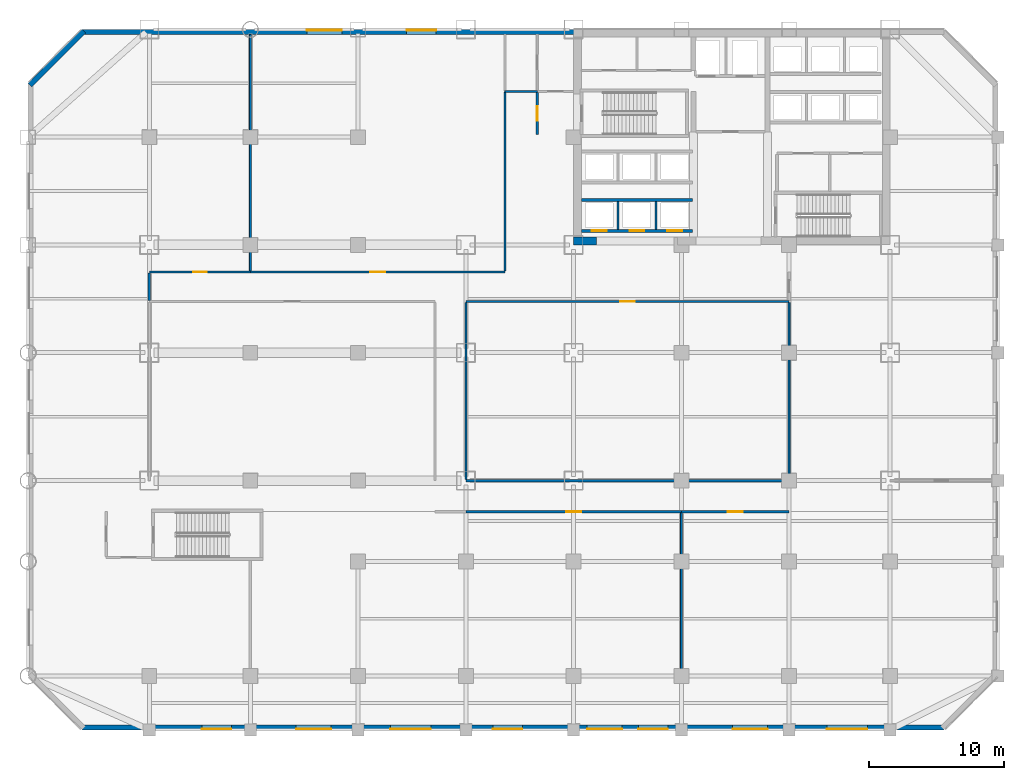
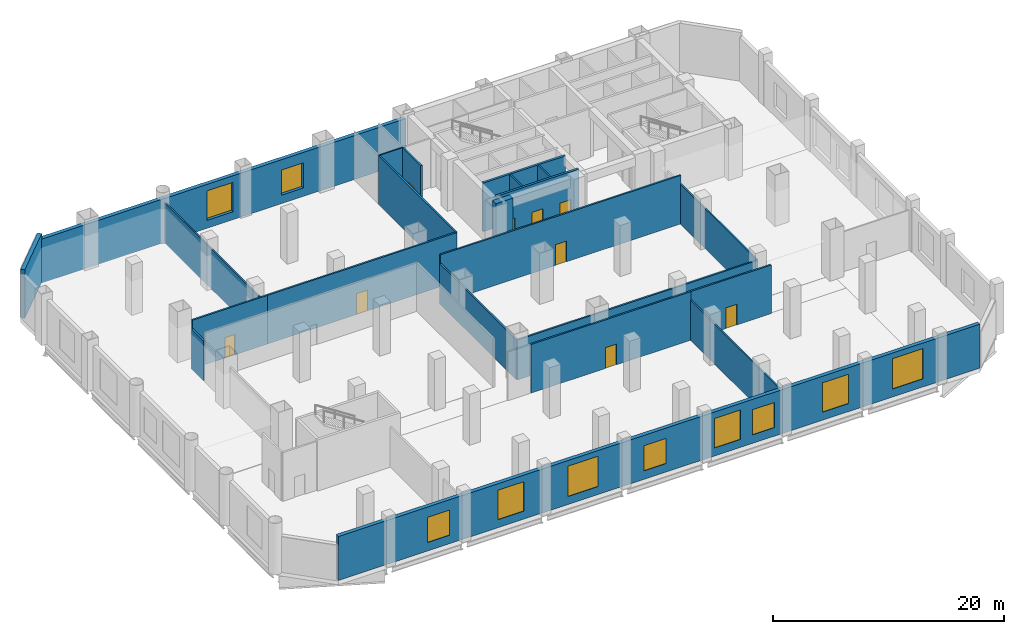
# One storey, part 4 of 10: 22 walls, 10 windows, 9 doors, 19 openings.
"""IFC4 building model written with IfcOpenShell, lengths in metres."""

from ifc_helpers import new_model, si_unit, direction, frame, frame_2d, origin, place, context, subcontext, project, spatial, rectangle, extrude, material, layer, layer_set, type_object, element, fill, save


model = new_model("IFC4")

# Units and contexts
model_context = context("Model", 3, precision=1e-05, world=origin(), true_north=direction((0.0, 1.0)))
body_context = subcontext(model_context, "Body", "Model", "MODEL_VIEW")
ifc_project = project(units=[si_unit("LENGTHUNIT", "METRE"), si_unit("AREAUNIT", "SQUARE_METRE"), si_unit("VOLUMEUNIT", "CUBIC_METRE"), si_unit("PLANEANGLEUNIT", "RADIAN"), si_unit("MASSUNIT", "GRAM", prefix="KILO")], contexts=[model_context])

# Site, building, storey
site_placement = place(None, origin())
site = spatial("IfcSite", under=ifc_project, at=site_placement, CompositionType="ELEMENT")
building_placement = place(site_placement, origin())
building = spatial("IfcBuilding", under=site, at=building_placement, Name="Qianrong Seaharbour Tower", CompositionType="ELEMENT")
storey_placement = place(building_placement, frame((0.0, 0.0, 17.39990234375)))
storey = spatial("IfcBuildingStorey", under=building, at=storey_placement, Name="L04", CompositionType="ELEMENT", Elevation=17.39990234375)

# Wall
ifc_material_1 = material(Name="Concrete C70/85", Category="concrete")
ifc_layer_1 = layer(ifc_material_1, 0.580078125)
ifc_layer_set_1 = layer_set([ifc_layer_1], Name="Concrete C70/85")
wall_type_1 = type_object("IfcWallType", Name="WALL-CORE-580", PredefinedType="SHEAR", material=ifc_layer_set_1)
wall_1_placement = place(storey_placement, frame((40.5, 36.2900390625, 0.0), z_axis=(0.0, 0.0, 1.0), x_axis=(1.0, 0.0, 0.0)))
element("IfcWall", 1, at=wall_1_placement, inside=storey, type_object=wall_type_1, Name="L04 South Core Shear Wall S1", PredefinedType="SHEAR", context=body_context, shape_type="SweptSolid", body=[
    extrude(rectangle(XDim=1.699951171875, YDim=0.580078125, at=frame_2d((0.85009765625, 0.0))), origin(), (0.0, 0.0, 1.0), 5.14013671875),
])

# Wall, opening, door
ifc_material_2 = material(Name="Fire-rated acoustic gypsum board partition")
ifc_layer_2 = layer(ifc_material_2, 0.1650390625)
ifc_layer_set_2 = layer_set([ifc_layer_2], Name="Fire-rated acoustic gypsum board partition")
wall_type_2 = type_object("IfcWallType", Name="WALL-CORR-PART-165", PredefinedType="PARTITIONING", material=ifc_layer_set_2)
wall_2_placement = place(storey_placement, frame((37.800048828125, 44.199951171875, 0.0), z_axis=(0.0, 0.0, 1.0), x_axis=(0.0, 1.0, 0.0)))
wall_2 = element("IfcWall", 2, at=wall_2_placement, inside=storey, type_object=wall_type_2, Name="L04 Interior Partition Wall 002", PredefinedType="PARTITIONING", context=body_context, shape_type="SweptSolid", body=[
    extrude(rectangle(XDim=3.12548828125, YDim=0.1650390625, at=frame_2d((1.562744140625, 0.0))), origin(), (0.0, 0.0, 1.0), 5.14013671875),
])
opening_1_placement = place(wall_2_placement, frame((1.03759765625, 0.0, 0.0)))
opening_1 = element("IfcOpeningElement", 3, at=opening_1_placement, cuts=wall_2, Name="Opening DC-01", PredefinedType="OPENING", context=body_context, shape_type="SweptSolid", body=[
    extrude(rectangle(XDim=1.050048828125, YDim=2.14990234375, at=frame_2d((0.52490234375, 1.074951171875))), frame((0.0, 0.092529296875, 0.0), z_axis=(0.0, -1.0, 0.0), x_axis=(1.0, 0.0, 0.0)), (0.0, 0.0, 1.0), 0.18505859375),
])
ifc_material_3 = material(Name="Acoustic timber and galvanized steel fire door assembly", Category="steel")
door_type_1 = type_object("IfcDoorType", Name="DOOR-CORR-FD60-1050x2150", OperationType="NOTDEFINED", PredefinedType="DOOR", material=ifc_material_3)
door_1_placement = place(opening_1_placement, origin())
door_1 = element("IfcDoor", 4, at=door_1_placement, inside=storey, type_object=door_type_1, Name="L04 Smokeproof Stair Vestibule ST-1 Door", OperationType="SINGLE_SWING_RIGHT", OverallHeight=2.14990234375, OverallWidth=1.050048828125, PredefinedType="DOOR", context=body_context, shape_type="SweptSolid", body=[
    extrude(rectangle(XDim=1.050048828125, YDim=2.14990234375, at=frame_2d((0.52490234375, 1.074951171875))), frame((0.0, 0.02490234375, 0.0), z_axis=(0.0, -1.0, 0.0), x_axis=(1.0, 0.0, 0.0)), (0.0, 0.0, 1.0), 0.050048828125),
])
fill(opening_1, door_1)

wall_3_placement = place(storey_placement, frame((56.5, 31.800048828125, 0.0), z_axis=(0.0, 0.0, 1.0), x_axis=(-1.0, 0.0, 0.0)))
wall_3 = element("IfcWall", 5, at=wall_3_placement, inside=storey, type_object=wall_type_2, Name="L04 Interior Partition Wall 016", PredefinedType="PARTITIONING", context=body_context, shape_type="SweptSolid", body=[
    extrude(rectangle(XDim=24.0, YDim=0.1650390625, at=frame_2d((12.0, 0.0))), origin(), (0.0, 0.0, 1.0), 5.14013671875),
])
opening_2_placement = place(wall_3_placement, frame((11.449951171875, 0.0, 0.0)))
opening_2 = element("IfcOpeningElement", 6, at=opening_2_placement, cuts=wall_3, Name="Opening DM-01", PredefinedType="OPENING", context=body_context, shape_type="SweptSolid", body=[
    extrude(rectangle(XDim=1.10009765625, YDim=2.199951171875, at=frame_2d((0.550048828125, 1.10009765625))), frame((0.0, 0.092529296875, 0.0), z_axis=(0.0, -1.0, 0.0), x_axis=(1.0, 0.0, 0.0)), (0.0, 0.0, 1.0), 0.18505859375),
])
door_type_2 = type_object("IfcDoorType", Name="DOOR-MEET-1100x2200", OperationType="NOTDEFINED", PredefinedType="DOOR", material=ifc_material_3)
door_2_placement = place(opening_2_placement, origin())
door_2 = element("IfcDoor", 7, at=door_2_placement, inside=storey, type_object=door_type_2, Name="L04 Training Classroom Door", OperationType="SINGLE_SWING_LEFT", OverallHeight=2.199951171875, OverallWidth=1.10009765625, PredefinedType="DOOR", context=body_context, shape_type="SweptSolid", body=[
    extrude(rectangle(XDim=1.10009765625, YDim=2.199951171875, at=frame_2d((0.550048828125, 1.10009765625))), frame((0.0, 0.02490234375, 0.0), z_axis=(0.0, -1.0, 0.0), x_axis=(1.0, 0.0, 0.0)), (0.0, 0.0, 1.0), 0.050048828125),
])
fill(opening_2, door_2)

wall_4_placement = place(storey_placement, frame((16.5, 34.0, 0.0), z_axis=(0.0, 0.0, 1.0), x_axis=(1.0, 0.0, 0.0)))
wall_4 = element("IfcWall", 8, at=wall_4_placement, inside=storey, type_object=wall_type_2, Name="L04 Interior Partition Wall 018", PredefinedType="PARTITIONING", context=body_context, shape_type="SweptSolid", body=[
    extrude(rectangle(XDim=18.89990234375, YDim=0.1650390625, at=frame_2d((9.449951171875, 0.0))), origin(), (0.0, 0.0, 1.0), 5.14013671875),
])
opening_3_placement = place(wall_4_placement, frame((8.89990234375, 0.0, 0.0)))
opening_3 = element("IfcOpeningElement", 9, at=opening_3_placement, cuts=wall_4, Name="Opening DM-01", PredefinedType="OPENING", context=body_context, shape_type="SweptSolid", body=[
    extrude(rectangle(XDim=1.10009765625, YDim=2.199951171875, at=frame_2d((0.550048828125, 1.10009765625))), frame((0.0, 0.092529296875, 0.0), z_axis=(0.0, -1.0, 0.0), x_axis=(1.0, 0.0, 0.0)), (0.0, 0.0, 1.0), 0.18505859375),
])
door_3_placement = place(opening_3_placement, origin())
door_3 = element("IfcDoor", 10, at=door_3_placement, inside=storey, type_object=door_type_2, Name="L04 Navigation Simulation Laboratory Door", OperationType="SINGLE_SWING_LEFT", OverallHeight=2.199951171875, OverallWidth=1.10009765625, PredefinedType="DOOR", context=body_context, shape_type="SweptSolid", body=[
    extrude(rectangle(XDim=1.10009765625, YDim=2.199951171875, at=frame_2d((0.550048828125, 1.10009765625))), frame((0.0, 0.02490234375, 0.0), z_axis=(0.0, -1.0, 0.0), x_axis=(1.0, 0.0, 0.0)), (0.0, 0.0, 1.0), 0.050048828125),
])
fill(opening_3, door_3)

# Wall
wall_5_placement = place(storey_placement, frame((9.0, 31.87451171875, 0.0), z_axis=(0.0, 0.0, 1.0), x_axis=(0.0, 1.0, 0.0)))
element("IfcWall", 11, at=wall_5_placement, inside=storey, type_object=wall_type_2, Name="L04 Interior Partition Wall 020", PredefinedType="PARTITIONING", context=body_context, shape_type="SweptSolid", body=[
    extrude(rectangle(XDim=2.051025390625, YDim=0.1650390625, at=frame_2d((1.025390625, 0.0))), origin(), (0.0, 0.0, 1.0), 4.232177734375),
])

# Wall, opening, door
wall_6_placement = place(storey_placement, frame((9.0, 34.0, 0.0), z_axis=(0.0, 0.0, 1.0), x_axis=(1.0, 0.0, 0.0)))
wall_6 = element("IfcWall", 12, at=wall_6_placement, inside=storey, type_object=wall_type_2, Name="L04 Interior Partition Wall 021", PredefinedType="PARTITIONING", context=body_context, shape_type="SweptSolid", body=[
    extrude(rectangle(XDim=7.5, YDim=0.1650390625, at=frame_2d((3.75, 0.0))), origin(), (0.0, 0.0, 1.0), 5.14013671875),
])
opening_4_placement = place(wall_6_placement, frame((3.25, 0.0, 0.0)))
opening_4 = element("IfcOpeningElement", 13, at=opening_4_placement, cuts=wall_6, Name="Opening DO-01", PredefinedType="OPENING", context=body_context, shape_type="SweptSolid", body=[
    extrude(rectangle(XDim=1.0, YDim=2.14990234375, at=frame_2d((0.5, 1.074951171875))), frame((0.0, 0.092529296875, 0.0), z_axis=(0.0, -1.0, 0.0), x_axis=(1.0, 0.0, 0.0)), (0.0, 0.0, 1.0), 0.18505859375),
])
door_type_3 = type_object("IfcDoorType", Name="DOOR-OFFICE-1000x2150", OperationType="NOTDEFINED", PredefinedType="DOOR", material=ifc_material_3)
door_4_placement = place(opening_4_placement, origin())
door_4 = element("IfcDoor", 14, at=door_4_placement, inside=storey, type_object=door_type_3, Name="L04 Academy Faculty Open-Plan Office Door", OperationType="SINGLE_SWING_LEFT", OverallHeight=2.14990234375, OverallWidth=1.0, PredefinedType="DOOR", context=body_context, shape_type="SweptSolid", body=[
    extrude(rectangle(XDim=1.0, YDim=2.14990234375, at=frame_2d((0.5, 1.074951171875))), frame((0.0, 0.02490234375, 0.0), z_axis=(0.0, -1.0, 0.0), x_axis=(1.0, 0.0, 0.0)), (0.0, 0.0, 1.0), 0.050048828125),
])
fill(opening_4, door_4)

# Walls
wall_7_placement = place(storey_placement, frame((35.39990234375, 34.074462890625, 0.0), z_axis=(0.0, 0.0, 1.0), x_axis=(0.0, 1.0, 0.0)))
element("IfcWall", 15, at=wall_7_placement, inside=storey, type_object=wall_type_2, Name="L04 Interior Partition Wall 022", PredefinedType="PARTITIONING", context=body_context, shape_type="SweptSolid", body=[
    extrude(rectangle(XDim=13.2685546875, YDim=0.1650390625, at=frame_2d((6.63427734375, 0.0))), origin(), (0.0, 0.0, 1.0), 5.14013671875),
])
wall_8_placement = place(storey_placement, frame((32.5, 31.7255859375, 0.0), z_axis=(0.0, 0.0, 1.0), x_axis=(0.0, -1.0, 0.0)))
element("IfcWall", 16, at=wall_8_placement, inside=storey, type_object=wall_type_2, Name="L04 Interior Partition Wall 023", PredefinedType="PARTITIONING", context=body_context, shape_type="SweptSolid", body=[
    extrude(rectangle(XDim=13.151123046875, YDim=0.1650390625, at=frame_2d((6.57568359375, 0.0))), origin(), (0.0, 0.0, 1.0), 4.232177734375),
])
wall_9_placement = place(storey_placement, frame((32.5, 18.5, 0.0), z_axis=(0.0, 0.0, 1.0), x_axis=(1.0, 0.0, 0.0)))
element("IfcWall", 17, at=wall_9_placement, inside=storey, type_object=wall_type_2, Name="L04 Interior Partition Wall 026", PredefinedType="PARTITIONING", context=body_context, shape_type="SweptSolid", body=[
    extrude(rectangle(XDim=24.0, YDim=0.1650390625, at=frame_2d((12.0, 0.0))), origin(), (0.0, 0.0, 1.0), 4.232177734375),
])

# Wall, opening, door
wall_10_placement = place(storey_placement, frame((48.5, 16.199951171875, 0.0), z_axis=(0.0, 0.0, 1.0), x_axis=(-1.0, 0.0, 0.0)))
wall_10 = element("IfcWall", 18, at=wall_10_placement, inside=storey, type_object=wall_type_2, Name="L04 Interior Partition Wall 027", PredefinedType="PARTITIONING", context=body_context, shape_type="SweptSolid", body=[
    extrude(rectangle(XDim=16.0, YDim=0.1650390625, at=frame_2d((8.0, 0.0))), origin(), (0.0, 0.0, 1.0), 5.14013671875),
])
opening_5_placement = place(wall_10_placement, frame((7.449951171875, 0.0, 0.0)))
opening_5 = element("IfcOpeningElement", 19, at=opening_5_placement, cuts=wall_10, Name="Opening DM-01", PredefinedType="OPENING", context=body_context, shape_type="SweptSolid", body=[
    extrude(rectangle(XDim=1.10009765625, YDim=2.199951171875, at=frame_2d((0.550048828125, 1.10009765625))), frame((0.0, 0.092529296875, 0.0), z_axis=(0.0, -1.0, 0.0), x_axis=(1.0, 0.0, 0.0)), (0.0, 0.0, 1.0), 0.18505859375),
])
door_5_placement = place(opening_5_placement, origin())
door_5 = element("IfcDoor", 20, at=door_5_placement, inside=storey, type_object=door_type_2, Name="L04 Maritime Law Seminar Room Door", OperationType="SINGLE_SWING_LEFT", OverallHeight=2.199951171875, OverallWidth=1.10009765625, PredefinedType="DOOR", context=body_context, shape_type="SweptSolid", body=[
    extrude(rectangle(XDim=1.10009765625, YDim=2.199951171875, at=frame_2d((0.550048828125, 1.10009765625))), frame((0.0, 0.02490234375, 0.0), z_axis=(0.0, -1.0, 0.0), x_axis=(1.0, 0.0, 0.0)), (0.0, 0.0, 1.0), 0.050048828125),
])
fill(opening_5, door_5)

wall_11_placement = place(storey_placement, frame((56.5, 16.199951171875, 0.0), z_axis=(0.0, 0.0, 1.0), x_axis=(-1.0, 0.0, 0.0)))
wall_11 = element("IfcWall", 21, at=wall_11_placement, inside=storey, type_object=wall_type_2, Name="L04 Interior Partition Wall 028", PredefinedType="PARTITIONING", context=body_context, shape_type="SweptSolid", body=[
    extrude(rectangle(XDim=8.0, YDim=0.1650390625, at=frame_2d((4.0, 0.0))), origin(), (0.0, 0.0, 1.0), 5.14013671875),
])
opening_6_placement = place(wall_11_placement, frame((3.449951171875, 0.0, 0.0)))
opening_6 = element("IfcOpeningElement", 22, at=opening_6_placement, cuts=wall_11, Name="Opening DM-01", PredefinedType="OPENING", context=body_context, shape_type="SweptSolid", body=[
    extrude(rectangle(XDim=1.10009765625, YDim=2.199951171875, at=frame_2d((0.550048828125, 1.10009765625))), frame((0.0, 0.092529296875, 0.0), z_axis=(0.0, -1.0, 0.0), x_axis=(1.0, 0.0, 0.0)), (0.0, 0.0, 1.0), 0.18505859375),
])
door_6_placement = place(opening_6_placement, origin())
door_6 = element("IfcDoor", 23, at=door_6_placement, inside=storey, type_object=door_type_2, Name="L04 Digital Twin Workshop Studio Door", OperationType="SINGLE_SWING_RIGHT", OverallHeight=2.199951171875, OverallWidth=1.10009765625, PredefinedType="DOOR", context=body_context, shape_type="SweptSolid", body=[
    extrude(rectangle(XDim=1.10009765625, YDim=2.199951171875, at=frame_2d((0.550048828125, 1.10009765625))), frame((0.0, 0.02490234375, 0.0), z_axis=(0.0, -1.0, 0.0), x_axis=(1.0, 0.0, 0.0)), (0.0, 0.0, 1.0), 0.050048828125),
])
fill(opening_6, door_6)

# Wall
ifc_material_4 = material(Name="Natural honed granite dimension stone", Category="masonry")
ifc_layer_3 = layer(ifc_material_4, 0.3798828125)
ifc_layer_set_3 = layer_set([ifc_layer_3], Name="Natural honed granite dimension stone")
wall_type_3 = type_object("IfcWallType", Name="WALL-EXT-GRANITE-380", PredefinedType="SOLIDWALL", material=ifc_layer_set_3)
wall_12_placement = place(storey_placement, frame((0.13427734375, 47.86572265625, 0.0), z_axis=(0.0, 0.0, 1.0), x_axis=(0.707106781187, 0.707106781187, 0.0)))
element("IfcWall", 24, at=wall_12_placement, inside=storey, type_object=wall_type_3, Name="L04 Exterior Masonry Facade Wall E01", PredefinedType="SOLIDWALL", context=body_context, shape_type="SweptSolid", body=[
    extrude(rectangle(XDim=5.65673828125, YDim=0.3798828125, at=frame_2d((2.828369140625, 0.0))), origin(), (0.0, 0.0, 1.0), 5.14013671875),
])

# Wall, openings, windows
wall_13_placement = place(storey_placement, frame((4.0, 51.81005859375, 0.0), z_axis=(0.0, 0.0, 1.0), x_axis=(1.0, 0.0, 0.0)))
wall_13 = element("IfcWall", 25, at=wall_13_placement, inside=storey, type_object=wall_type_3, Name="L04 Exterior Masonry Facade Wall NORTH_WING", PredefinedType="SOLIDWALL", context=body_context, shape_type="SweptSolid", body=[
    extrude(rectangle(XDim=36.52001953125, YDim=0.3798828125, at=frame_2d((18.260009765625, 0.0))), origin(), (0.0, 0.0, 1.0), 4.64013671875),
])
opening_7_placement = place(wall_13_placement, frame((16.699951171875, 0.0, 0.85009765625)))
opening_7 = element("IfcOpeningElement", 26, at=opening_7_placement, cuts=wall_13, Name="Opening WN-11", PredefinedType="OPENING", context=body_context, shape_type="SweptSolid", body=[
    extrude(rectangle(XDim=2.60009765625, YDim=3.10009765625, at=frame_2d((1.300048828125, 1.550048828125))), frame((0.0, 0.199951171875, 0.0), z_axis=(0.0, -1.0, 0.0), x_axis=(1.0, 0.0, 0.0)), (0.0, 0.0, 1.0), 0.39990234375),
])
opening_8_placement = place(wall_13_placement, frame((24.10009765625, 0.0, 0.89990234375)))
opening_8 = element("IfcOpeningElement", 27, at=opening_8_placement, cuts=wall_13, Name="Opening WN-10", PredefinedType="OPENING", context=body_context, shape_type="SweptSolid", body=[
    extrude(rectangle(XDim=2.199951171875, YDim=2.64990234375, at=frame_2d((1.10009765625, 1.324951171875))), frame((0.0, 0.199951171875, 0.0), z_axis=(0.0, -1.0, 0.0), x_axis=(1.0, 0.0, 0.0)), (0.0, 0.0, 1.0), 0.39990234375),
])
ifc_material_5 = material(Name="Insulated low-e double glazing in thermally broken aluminium 6063-T6 frame", Category="aluminium")
window_type_1 = type_object("IfcWindowType", Name="WIN-POD-2600x3100", PartitioningType="TRIPLE_PANEL_VERTICAL", PredefinedType="WINDOW", material=ifc_material_5)
window_1_placement = place(opening_7_placement, origin())
window_1 = element("IfcWindow", 28, at=window_1_placement, inside=storey, type_object=window_type_1, Name="L04 Deep-Set Punched Window 02.05", OverallHeight=3.10009765625, OverallWidth=2.60009765625, PartitioningType="TRIPLE_PANEL_VERTICAL", PredefinedType="WINDOW", context=body_context, shape_type="SweptSolid", body=[
    extrude(rectangle(XDim=2.60009765625, YDim=3.10009765625, at=frame_2d((1.300048828125, 1.550048828125))), frame((0.0, 0.150146484375, 0.0), z_axis=(0.0, -1.0, 0.0), x_axis=(1.0, 0.0, 0.0)), (0.0, 0.0, 1.0), 0.06005859375),
])
fill(opening_7, window_1)
window_type_2 = type_object("IfcWindowType", Name="WIN-PUNCH-2200x2650", PartitioningType="TRIPLE_PANEL_VERTICAL", PredefinedType="WINDOW", material=ifc_material_5)
window_2_placement = place(opening_8_placement, origin())
window_2 = element("IfcWindow", 29, at=window_2_placement, inside=storey, type_object=window_type_2, Name="L04 Deep-Set Punched Window 02.07", OverallHeight=2.64990234375, OverallWidth=2.199951171875, PartitioningType="TRIPLE_PANEL_VERTICAL", PredefinedType="WINDOW", context=body_context, shape_type="SweptSolid", body=[
    extrude(rectangle(XDim=2.199951171875, YDim=2.64990234375, at=frame_2d((1.10009765625, 1.324951171875))), frame((0.0, 0.150146484375, 0.0), z_axis=(0.0, -1.0, 0.0), x_axis=(1.0, 0.0, 0.0)), (0.0, 0.0, 1.0), 0.06005859375),
])
fill(opening_8, window_2)

wall_14_placement = place(storey_placement, frame((68.0, 0.18994140625, 0.0), z_axis=(0.0, 0.0, 1.0), x_axis=(-1.0, 0.0, 0.0)))
wall_14 = element("IfcWall", 30, at=wall_14_placement, inside=storey, type_object=wall_type_3, Name="L04 Exterior Masonry Facade Wall SOUTH_TIP", PredefinedType="SOLIDWALL", context=body_context, shape_type="SweptSolid", body=[
    extrude(rectangle(XDim=64.0, YDim=0.3798828125, at=frame_2d((32.0, 0.0))), origin(), (0.0, 0.0, 1.0), 4.64013671875),
])
opening_9_placement = place(wall_14_placement, frame((5.699951171875, 0.0, 0.85009765625)))
opening_9 = element("IfcOpeningElement", 31, at=opening_9_placement, cuts=wall_14, Name="Opening WN-12", PredefinedType="OPENING", context=body_context, shape_type="SweptSolid", body=[
    extrude(rectangle(XDim=3.0, YDim=3.199951171875, at=frame_2d((1.5, 1.60009765625))), frame((0.0, 0.199951171875, 0.0), z_axis=(0.0, -1.0, 0.0), x_axis=(1.0, 0.0, 0.0)), (0.0, 0.0, 1.0), 0.39990234375),
])
opening_10_placement = place(wall_14_placement, frame((13.10009765625, 0.0, 0.85009765625)))
opening_10 = element("IfcOpeningElement", 32, at=opening_10_placement, cuts=wall_14, Name="Opening WN-11", PredefinedType="OPENING", context=body_context, shape_type="SweptSolid", body=[
    extrude(rectangle(XDim=2.60009765625, YDim=3.10009765625, at=frame_2d((1.300048828125, 1.550048828125))), frame((0.0, 0.199951171875, 0.0), z_axis=(0.0, -1.0, 0.0), x_axis=(1.0, 0.0, 0.0)), (0.0, 0.0, 1.0), 0.39990234375),
])
opening_11_placement = place(wall_14_placement, frame((20.5, 0.0, 0.89990234375)))
opening_11 = element("IfcOpeningElement", 33, at=opening_11_placement, cuts=wall_14, Name="Opening WN-10", PredefinedType="OPENING", context=body_context, shape_type="SweptSolid", body=[
    extrude(rectangle(XDim=2.199951171875, YDim=2.64990234375, at=frame_2d((1.10009765625, 1.324951171875))), frame((0.0, 0.199951171875, 0.0), z_axis=(0.0, -1.0, 0.0), x_axis=(1.0, 0.0, 0.0)), (0.0, 0.0, 1.0), 0.39990234375),
])
opening_12_placement = place(wall_14_placement, frame((23.89990234375, 0.0, 0.85009765625)))
opening_12 = element("IfcOpeningElement", 34, at=opening_12_placement, cuts=wall_14, Name="Opening WN-11", PredefinedType="OPENING", context=body_context, shape_type="SweptSolid", body=[
    extrude(rectangle(XDim=2.60009765625, YDim=3.10009765625, at=frame_2d((1.300048828125, 1.550048828125))), frame((0.0, 0.199951171875, 0.0), z_axis=(0.0, -1.0, 0.0), x_axis=(1.0, 0.0, 0.0)), (0.0, 0.0, 1.0), 0.39990234375),
])
opening_13_placement = place(wall_14_placement, frame((31.300048828125, 0.0, 0.89990234375)))
opening_13 = element("IfcOpeningElement", 35, at=opening_13_placement, cuts=wall_14, Name="Opening WN-10", PredefinedType="OPENING", context=body_context, shape_type="SweptSolid", body=[
    extrude(rectangle(XDim=2.199951171875, YDim=2.64990234375, at=frame_2d((1.10009765625, 1.324951171875))), frame((0.0, 0.199951171875, 0.0), z_axis=(0.0, -1.0, 0.0), x_axis=(1.0, 0.0, 0.0)), (0.0, 0.0, 1.0), 0.39990234375),
])
opening_14_placement = place(wall_14_placement, frame((38.10009765625, 0.0, 0.85009765625)))
opening_14 = element("IfcOpeningElement", 36, at=opening_14_placement, cuts=wall_14, Name="Opening WN-12", PredefinedType="OPENING", context=body_context, shape_type="SweptSolid", body=[
    extrude(rectangle(XDim=3.0, YDim=3.199951171875, at=frame_2d((1.5, 1.60009765625))), frame((0.0, 0.199951171875, 0.0), z_axis=(0.0, -1.0, 0.0), x_axis=(1.0, 0.0, 0.0)), (0.0, 0.0, 1.0), 0.39990234375),
])
opening_15_placement = place(wall_14_placement, frame((45.5, 0.0, 0.85009765625)))
opening_15 = element("IfcOpeningElement", 37, at=opening_15_placement, cuts=wall_14, Name="Opening WN-11", PredefinedType="OPENING", context=body_context, shape_type="SweptSolid", body=[
    extrude(rectangle(XDim=2.60009765625, YDim=3.10009765625, at=frame_2d((1.300048828125, 1.550048828125))), frame((0.0, 0.199951171875, 0.0), z_axis=(0.0, -1.0, 0.0), x_axis=(1.0, 0.0, 0.0)), (0.0, 0.0, 1.0), 0.39990234375),
])
opening_16_placement = place(wall_14_placement, frame((52.89990234375, 0.0, 0.89990234375)))
opening_16 = element("IfcOpeningElement", 38, at=opening_16_placement, cuts=wall_14, Name="Opening WN-10", PredefinedType="OPENING", context=body_context, shape_type="SweptSolid", body=[
    extrude(rectangle(XDim=2.199951171875, YDim=2.64990234375, at=frame_2d((1.10009765625, 1.324951171875))), frame((0.0, 0.199951171875, 0.0), z_axis=(0.0, -1.0, 0.0), x_axis=(1.0, 0.0, 0.0)), (0.0, 0.0, 1.0), 0.39990234375),
])
window_3_placement = place(opening_10_placement, origin())
window_3 = element("IfcWindow", 39, at=window_3_placement, inside=storey, type_object=window_type_1, Name="L04 Deep-Set Punched Window 06.04", OverallHeight=3.10009765625, OverallWidth=2.60009765625, PartitioningType="TRIPLE_PANEL_VERTICAL", PredefinedType="WINDOW", context=body_context, shape_type="SweptSolid", body=[
    extrude(rectangle(XDim=2.60009765625, YDim=3.10009765625, at=frame_2d((1.300048828125, 1.550048828125))), frame((0.0, 0.150146484375, 0.0), z_axis=(0.0, -1.0, 0.0), x_axis=(1.0, 0.0, 0.0)), (0.0, 0.0, 1.0), 0.06005859375),
])
fill(opening_10, window_3)
window_4_placement = place(opening_12_placement, origin())
window_4 = element("IfcWindow", 40, at=window_4_placement, inside=storey, type_object=window_type_1, Name="L04 Deep-Set Punched Window 06.07", OverallHeight=3.10009765625, OverallWidth=2.60009765625, PartitioningType="TRIPLE_PANEL_VERTICAL", PredefinedType="WINDOW", context=body_context, shape_type="SweptSolid", body=[
    extrude(rectangle(XDim=2.60009765625, YDim=3.10009765625, at=frame_2d((1.300048828125, 1.550048828125))), frame((0.0, 0.150146484375, 0.0), z_axis=(0.0, -1.0, 0.0), x_axis=(1.0, 0.0, 0.0)), (0.0, 0.0, 1.0), 0.06005859375),
])
fill(opening_12, window_4)
window_5_placement = place(opening_15_placement, origin())
window_5 = element("IfcWindow", 41, at=window_5_placement, inside=storey, type_object=window_type_1, Name="L04 Deep-Set Punched Window 06.13", OverallHeight=3.10009765625, OverallWidth=2.60009765625, PartitioningType="TRIPLE_PANEL_VERTICAL", PredefinedType="WINDOW", context=body_context, shape_type="SweptSolid", body=[
    extrude(rectangle(XDim=2.60009765625, YDim=3.10009765625, at=frame_2d((1.300048828125, 1.550048828125))), frame((0.0, 0.150146484375, 0.0), z_axis=(0.0, -1.0, 0.0), x_axis=(1.0, 0.0, 0.0)), (0.0, 0.0, 1.0), 0.06005859375),
])
fill(opening_15, window_5)
window_type_3 = type_object("IfcWindowType", Name="WIN-POD-3000x3200", PartitioningType="TRIPLE_PANEL_VERTICAL", PredefinedType="WINDOW", material=ifc_material_5)
window_6_placement = place(opening_9_placement, origin())
window_6 = element("IfcWindow", 42, at=window_6_placement, inside=storey, type_object=window_type_3, Name="L04 Deep-Set Punched Window 06.02", OverallHeight=3.199951171875, OverallWidth=3.0, PartitioningType="TRIPLE_PANEL_VERTICAL", PredefinedType="WINDOW", context=body_context, shape_type="SweptSolid", body=[
    extrude(rectangle(XDim=3.0, YDim=3.199951171875, at=frame_2d((1.5, 1.60009765625))), frame((0.0, 0.150146484375, 0.0), z_axis=(0.0, -1.0, 0.0), x_axis=(1.0, 0.0, 0.0)), (0.0, 0.0, 1.0), 0.06005859375),
])
fill(opening_9, window_6)
window_7_placement = place(opening_14_placement, origin())
window_7 = element("IfcWindow", 43, at=window_7_placement, inside=storey, type_object=window_type_3, Name="L04 Deep-Set Punched Window 06.11", OverallHeight=3.199951171875, OverallWidth=3.0, PartitioningType="TRIPLE_PANEL_VERTICAL", PredefinedType="WINDOW", context=body_context, shape_type="SweptSolid", body=[
    extrude(rectangle(XDim=3.0, YDim=3.199951171875, at=frame_2d((1.5, 1.60009765625))), frame((0.0, 0.150146484375, 0.0), z_axis=(0.0, -1.0, 0.0), x_axis=(1.0, 0.0, 0.0)), (0.0, 0.0, 1.0), 0.06005859375),
])
fill(opening_14, window_7)
window_8_placement = place(opening_11_placement, origin())
window_8 = element("IfcWindow", 44, at=window_8_placement, inside=storey, type_object=window_type_2, Name="L04 Deep-Set Punched Window 06.06", OverallHeight=2.64990234375, OverallWidth=2.199951171875, PartitioningType="TRIPLE_PANEL_VERTICAL", PredefinedType="WINDOW", context=body_context, shape_type="SweptSolid", body=[
    extrude(rectangle(XDim=2.199951171875, YDim=2.64990234375, at=frame_2d((1.10009765625, 1.324951171875))), frame((0.0, 0.150146484375, 0.0), z_axis=(0.0, -1.0, 0.0), x_axis=(1.0, 0.0, 0.0)), (0.0, 0.0, 1.0), 0.06005859375),
])
fill(opening_11, window_8)
window_9_placement = place(opening_13_placement, origin())
window_9 = element("IfcWindow", 45, at=window_9_placement, inside=storey, type_object=window_type_2, Name="L04 Deep-Set Punched Window 06.09", OverallHeight=2.64990234375, OverallWidth=2.199951171875, PartitioningType="TRIPLE_PANEL_VERTICAL", PredefinedType="WINDOW", context=body_context, shape_type="SweptSolid", body=[
    extrude(rectangle(XDim=2.199951171875, YDim=2.64990234375, at=frame_2d((1.10009765625, 1.324951171875))), frame((0.0, 0.150146484375, 0.0), z_axis=(0.0, -1.0, 0.0), x_axis=(1.0, 0.0, 0.0)), (0.0, 0.0, 1.0), 0.06005859375),
])
fill(opening_13, window_9)
window_10_placement = place(opening_16_placement, origin())
window_10 = element("IfcWindow", 46, at=window_10_placement, inside=storey, type_object=window_type_2, Name="L04 Deep-Set Punched Window 06.15", OverallHeight=2.64990234375, OverallWidth=2.199951171875, PartitioningType="TRIPLE_PANEL_VERTICAL", PredefinedType="WINDOW", context=body_context, shape_type="SweptSolid", body=[
    extrude(rectangle(XDim=2.199951171875, YDim=2.64990234375, at=frame_2d((1.10009765625, 1.324951171875))), frame((0.0, 0.150146484375, 0.0), z_axis=(0.0, -1.0, 0.0), x_axis=(1.0, 0.0, 0.0)), (0.0, 0.0, 1.0), 0.06005859375),
])
fill(opening_16, window_10)

# Walls
ifc_material_6 = material(Name="Acoustic gypsum board stud partition")
ifc_layer_4 = layer(ifc_material_6, 0.14501953125)
ifc_layer_set_4 = layer_set([ifc_layer_4], Name="Acoustic gypsum board stud partition")
wall_type_4 = type_object("IfcWallType", Name="WALL-OFFICE-PART-145", PredefinedType="PARTITIONING", material=ifc_layer_set_4)
wall_15_placement = place(storey_placement, frame((56.5, 31.7255859375, 0.0), z_axis=(0.0, 0.0, 1.0), x_axis=(0.0, -1.0, 0.0)))
element("IfcWall", 47, at=wall_15_placement, inside=storey, type_object=wall_type_4, Name="L04 Interior Partition Wall 029", PredefinedType="PARTITIONING", context=body_context, shape_type="SweptSolid", body=[
    extrude(rectangle(XDim=13.151123046875, YDim=0.14501953125, at=frame_2d((6.57568359375, 0.0))), origin(), (0.0, 0.0, 1.0), 4.232177734375),
])
wall_16_placement = place(storey_placement, frame((16.5, 34.074462890625, 0.0), z_axis=(0.0, 0.0, 1.0), x_axis=(0.0, 1.0, 0.0)))
element("IfcWall", 48, at=wall_16_placement, inside=storey, type_object=wall_type_4, Name="L04 Interior Partition Wall 031", PredefinedType="PARTITIONING", context=body_context, shape_type="SweptSolid", body=[
    extrude(rectangle(XDim=17.553466796875, YDim=0.14501953125, at=frame_2d((8.77685546875, 0.0))), origin(), (0.0, 0.0, 1.0), 4.232177734375),
])
wall_17_placement = place(storey_placement, frame((48.5, 16.12548828125, 0.0), z_axis=(0.0, 0.0, 1.0), x_axis=(0.0, -1.0, 0.0)))
element("IfcWall", 49, at=wall_17_placement, inside=storey, type_object=wall_type_4, Name="L04 Interior Partition Wall 033", PredefinedType="PARTITIONING", context=body_context, shape_type="SweptSolid", body=[
    extrude(rectangle(XDim=15.75341796875, YDim=0.14501953125, at=frame_2d((7.876708984375, 0.0))), origin(), (0.0, 0.0, 1.0), 4.232177734375),
])
ifc_material_7 = material(Name="Fire-rated gypsum board on steel studs", Category="steel")
ifc_layer_5 = layer(ifc_material_7, 0.14990234375)
ifc_layer_set_5 = layer_set([ifc_layer_5], Name="Fire-rated gypsum board on steel studs")
wall_type_5 = type_object("IfcWallType", Name="WALL-SHAFT-DIV-150", PredefinedType="PARTITIONING", material=ifc_layer_set_5)
for number, where, z_axis, x_axis, name in (
    (50, (43.800048828125, 37.159912109375, 0.0), (0.0, 0.0, 1.0), (0.0, 1.0, 0.0), "L04 P1 Lift Hoistway Divider 2"),
    (51, (46.60009765625, 37.159912109375, 0.0), (0.0, 0.0, 1.0), (0.0, 1.0, 0.0), "L04 P1 Lift Hoistway Divider 3"),
):
    element("IfcWall", number, at=place(storey_placement, frame(where, z_axis=z_axis, x_axis=x_axis)), inside=storey, type_object=wall_type_5, Name=name, PredefinedType="PARTITIONING", context=body_context, shape_type="SweptSolid", body=[
        extrude(rectangle(XDim=2.080078125, YDim=0.14990234375, at=frame_2d((1.0400390625, 0.0))), origin(), (0.0, 0.0, 1.0), 5.14013671875),
    ])

# Wall, openings, doors
ifc_layer_6 = layer(ifc_material_7, 0.219970703125)
ifc_layer_set_6 = layer_set([ifc_layer_6], Name="Fire-rated gypsum board on steel studs")
wall_type_6 = type_object("IfcWallType", Name="WALL-SHAFT-GYP220", PredefinedType="PARTITIONING", material=ifc_layer_set_6)
wall_18_placement = place(storey_placement, frame((49.320068359375, 37.050048828125, 0.0), z_axis=(0.0, 0.0, 1.0), x_axis=(-1.0, 0.0, 0.0)))
wall_18 = element("IfcWall", 52, at=wall_18_placement, inside=storey, type_object=wall_type_6, Name="L04 P1 Lift Hoistway Front Wall", PredefinedType="PARTITIONING", context=body_context, shape_type="SweptSolid", body=[
    extrude(rectangle(XDim=8.239990234375, YDim=0.219970703125, at=frame_2d((4.1201171875, 0.0))), origin(), (0.0, 0.0, 1.0), 5.14013671875),
])
opening_17_placement = place(wall_18_placement, frame((6.3701171875, 0.0, 0.0)))
opening_17 = element("IfcOpeningElement", 53, at=opening_17_placement, cuts=wall_18, Name="Opening LD-02", PredefinedType="OPENING", context=body_context, shape_type="SweptSolid", body=[
    extrude(rectangle(XDim=1.10009765625, YDim=2.199951171875, at=frame_2d((0.550048828125, 1.10009765625))), frame((0.0, 0.1201171875, 0.0), z_axis=(0.0, -1.0, 0.0), x_axis=(1.0, 0.0, 0.0)), (0.0, 0.0, 1.0), 0.239990234375),
])
opening_18_placement = place(wall_18_placement, frame((3.570068359375, 0.0, 0.0)))
opening_18 = element("IfcOpeningElement", 54, at=opening_18_placement, cuts=wall_18, Name="Opening LD-02", PredefinedType="OPENING", context=body_context, shape_type="SweptSolid", body=[
    extrude(rectangle(XDim=1.10009765625, YDim=2.199951171875, at=frame_2d((0.550048828125, 1.10009765625))), frame((0.0, 0.1201171875, 0.0), z_axis=(0.0, -1.0, 0.0), x_axis=(1.0, 0.0, 0.0)), (0.0, 0.0, 1.0), 0.239990234375),
])
opening_19_placement = place(wall_18_placement, frame((0.77001953125, 0.0, 0.0)))
opening_19 = element("IfcOpeningElement", 55, at=opening_19_placement, cuts=wall_18, Name="Opening LD-02", PredefinedType="OPENING", context=body_context, shape_type="SweptSolid", body=[
    extrude(rectangle(XDim=1.10009765625, YDim=2.199951171875, at=frame_2d((0.550048828125, 1.10009765625))), frame((0.0, 0.1201171875, 0.0), z_axis=(0.0, -1.0, 0.0), x_axis=(1.0, 0.0, 0.0)), (0.0, 0.0, 1.0), 0.239990234375),
])
ifc_material_8 = material(Name="Stainless steel SUS316L bi-parting lift landing door", Category="steel")
door_type_4 = type_object("IfcDoorType", Name="DOOR-LIFT-PASS-1100x2200", OperationType="DOUBLE_DOOR_SLIDING", PredefinedType="DOOR", material=ifc_material_8)
door_7_placement = place(opening_17_placement, origin())
door_7 = element("IfcDoor", 56, at=door_7_placement, inside=storey, type_object=door_type_4, Name="L04 PL-1A Lift Landing Door", OperationType="DOUBLE_DOOR_SLIDING", OverallHeight=2.199951171875, OverallWidth=1.10009765625, PredefinedType="DOOR", context=body_context, shape_type="SweptSolid", body=[
    extrude(rectangle(XDim=1.10009765625, YDim=2.199951171875, at=frame_2d((0.550048828125, 1.10009765625))), frame((0.0, 0.02490234375, 0.0), z_axis=(0.0, -1.0, 0.0), x_axis=(1.0, 0.0, 0.0)), (0.0, 0.0, 1.0), 0.050048828125),
])
fill(opening_17, door_7)
door_8_placement = place(opening_18_placement, origin())
door_8 = element("IfcDoor", 57, at=door_8_placement, inside=storey, type_object=door_type_4, Name="L04 PL-1B Lift Landing Door", OperationType="DOUBLE_DOOR_SLIDING", OverallHeight=2.199951171875, OverallWidth=1.10009765625, PredefinedType="DOOR", context=body_context, shape_type="SweptSolid", body=[
    extrude(rectangle(XDim=1.10009765625, YDim=2.199951171875, at=frame_2d((0.550048828125, 1.10009765625))), frame((0.0, 0.02490234375, 0.0), z_axis=(0.0, -1.0, 0.0), x_axis=(1.0, 0.0, 0.0)), (0.0, 0.0, 1.0), 0.050048828125),
])
fill(opening_18, door_8)
door_9_placement = place(opening_19_placement, origin())
door_9 = element("IfcDoor", 58, at=door_9_placement, inside=storey, type_object=door_type_4, Name="L04 PL-1C Lift Landing Door", OperationType="DOUBLE_DOOR_SLIDING", OverallHeight=2.199951171875, OverallWidth=1.10009765625, PredefinedType="DOOR", context=body_context, shape_type="SweptSolid", body=[
    extrude(rectangle(XDim=1.10009765625, YDim=2.199951171875, at=frame_2d((0.550048828125, 1.10009765625))), frame((0.0, 0.02490234375, 0.0), z_axis=(0.0, -1.0, 0.0), x_axis=(1.0, 0.0, 0.0)), (0.0, 0.0, 1.0), 0.050048828125),
])
fill(opening_19, door_9)

# Walls
wall_19_placement = place(storey_placement, frame((41.080078125, 39.35009765625, 0.0), z_axis=(0.0, 0.0, 1.0), x_axis=(1.0, 0.0, 0.0)))
element("IfcWall", 59, at=wall_19_placement, inside=storey, type_object=wall_type_6, Name="L04 P1 Lift Hoistway Back Wall", PredefinedType="PARTITIONING", context=body_context, shape_type="SweptSolid", body=[
    extrude(rectangle(XDim=8.239990234375, YDim=0.219970703125, at=frame_2d((4.1201171875, 0.0))), origin(), (0.0, 0.0, 1.0), 5.14013671875),
])
ifc_material_9 = material(Name="Water-resistant cement board sanitary partition")
ifc_layer_7 = layer(ifc_material_9, 0.1298828125)
ifc_layer_set_7 = layer_set([ifc_layer_7], Name="Water-resistant cement board sanitary partition")
wall_type_7 = type_object("IfcWallType", Name="WALL-WET-PART-130", PredefinedType="PARTITIONING", material=ifc_layer_set_7)
wall_20_placement = place(storey_placement, frame((37.800048828125, 47.39990234375, 0.0), z_axis=(0.0, 0.0, 1.0), x_axis=(-1.0, 0.0, 0.0)))
element("IfcWall", 60, at=wall_20_placement, inside=storey, type_object=wall_type_7, Name="L04 Interior Partition Wall 004", PredefinedType="PARTITIONING", context=body_context, shape_type="SweptSolid", body=[
    extrude(rectangle(XDim=2.400146484375, YDim=0.1298828125, at=frame_2d((1.2001953125, 0.0))), origin(), (0.0, 0.0, 1.0), 5.14013671875),
])

save(model, "model.ifc")
